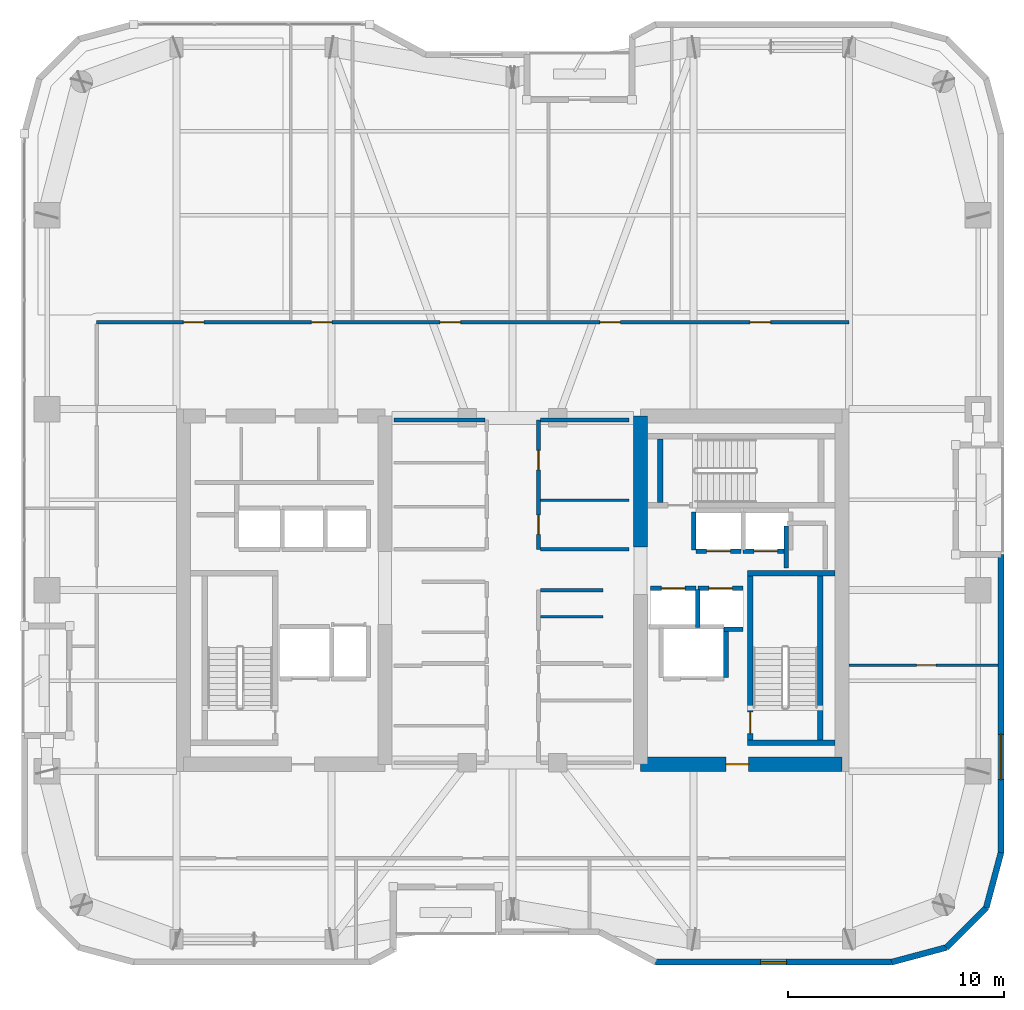
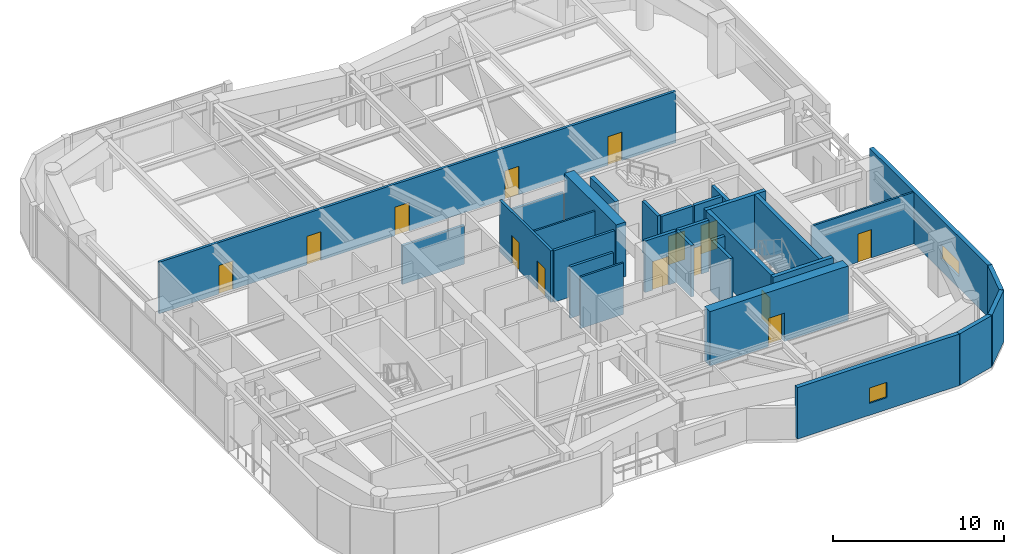
# One storey, part 17 of 21: 30 walls, 14 doors, 2 windows, 16 openings.
"""IFC4 building model written with IfcOpenShell, lengths in metres."""

from ifc_helpers import new_model, si_unit, direction, frame, frame_2d, origin, place, context, subcontext, project, spatial, rectangle, extrude, material, layer, layer_set, type_object, element, fill, save


model = new_model("IFC4")

# Units and contexts
model_context = context("Model", 3, precision=1e-05, world=origin(), true_north=direction((0.0, 1.0)))
body_context = subcontext(model_context, "Body", "Model", "MODEL_VIEW")
ifc_project = project(units=[si_unit("LENGTHUNIT", "METRE"), si_unit("AREAUNIT", "SQUARE_METRE"), si_unit("VOLUMEUNIT", "CUBIC_METRE"), si_unit("PLANEANGLEUNIT", "RADIAN"), si_unit("MASSUNIT", "GRAM", prefix="KILO")], contexts=[model_context])

# Site, building, storey
site_placement = place(None, origin())
site = spatial("IfcSite", under=ifc_project, at=site_placement, CompositionType="ELEMENT")
building_placement = place(site_placement, origin())
building = spatial("IfcBuilding", under=site, at=building_placement, Name="Kiyonajd Concourse Tower", CompositionType="ELEMENT")
storey_placement = place(building_placement, frame((0.0, 0.0, 219.300048828125)))
storey = spatial("IfcBuildingStorey", under=building, at=storey_placement, Name="L55", CompositionType="ELEMENT", Elevation=219.300048828125)

# Wall
ifc_material_1 = material(Name="Concrete C60/75", Category="concrete")
ifc_layer_1 = layer(ifc_material_1, 0.64990234375)
ifc_layer_set_1 = layer_set([ifc_layer_1], Name="Concrete C60/75")
wall_type_1 = type_object("IfcWallType", Name="WL-CORE-650", PredefinedType="SHEAR", material=ifc_layer_set_1)
wall_1_placement = place(storey_placement, frame((53.925048828125, 38.0, 0.0), z_axis=(0.0, 0.0, 1.0), x_axis=(0.0, 1.0, 0.0)))
element("IfcWall", 1, at=wall_1_placement, inside=storey, type_object=wall_type_1, Name="L55 East Core Inner North Shear Wall", PredefinedType="SHEAR", context=body_context, shape_type="SweptSolid", body=[
    extrude(rectangle(XDim=6.074951171875, YDim=0.64990234375, at=frame_2d((3.03759765625, 0.0))), origin(), (0.0, 0.0, 1.0), 3.89990234375),
])

# Wall, opening, door
wall_2_placement = place(storey_placement, frame((53.925048828125, 27.925048828125, 0.0), z_axis=(0.0, 0.0, 1.0), x_axis=(1.0, 0.0, 0.0)))
wall_2 = element("IfcWall", 2, at=wall_2_placement, inside=storey, type_object=wall_type_1, Name="L55 East Core South Shear Wall", PredefinedType="SHEAR", context=body_context, shape_type="SweptSolid", body=[
    extrude(rectangle(XDim=9.349853515625, YDim=0.64990234375, at=frame_2d((4.6748046875, 0.0))), origin(), (0.0, 0.0, 1.0), 3.89990234375),
])
opening_1_placement = place(wall_2_placement, frame((3.97509765625, 0.0, 0.0)))
opening_1 = element("IfcOpeningElement", 3, at=opening_1_placement, cuts=wall_2, Name="Opening DF5", PredefinedType="OPENING", context=body_context, shape_type="SweptSolid", body=[
    extrude(rectangle(XDim=1.050048828125, YDim=2.0400390625, at=frame_2d((0.52490234375, 1.02001953125))), frame((0.0, 0.3349609375, 0.0), z_axis=(0.0, -1.0, 0.0), x_axis=(1.0, 0.0, 0.0)), (0.0, 0.0, 1.0), 0.669921875),
])
ifc_material_2 = material(Name="Brushed Stainless Steel Cab Assembly", Category="steel")
door_type_1 = type_object("IfcDoorType", Name="DR-FD45-1050", OperationType="NOTDEFINED", PredefinedType="DOOR", material=ifc_material_2)
door_1_placement = place(opening_1_placement, origin())
door_1 = element("IfcDoor", 4, at=door_1_placement, inside=storey, type_object=door_type_1, Name="L55 Firefighting Lift Lobby E Smoke Door", OperationType="SINGLE_SWING_RIGHT", OverallHeight=2.0400390625, OverallWidth=1.050048828125, PredefinedType="DOOR", context=body_context, shape_type="SweptSolid", body=[
    extrude(rectangle(XDim=1.050048828125, YDim=2.0400390625, at=frame_2d((0.52490234375, 1.02001953125))), frame((0.0, 0.02490234375, 0.0), z_axis=(0.0, -1.0, 0.0), x_axis=(1.0, 0.0, 0.0)), (0.0, 0.0, 1.0), 0.050048828125),
])
fill(opening_1, door_1)

# Wall, opening, window
ifc_material_3 = material(Name="Precast concrete C50/60", Category="concrete")
ifc_layer_2 = layer(ifc_material_3, 0.280029296875)
ifc_layer_set_2 = layer_set([ifc_layer_2], Name="Precast concrete C50/60")
wall_type_2 = type_object("IfcWallType", Name="WL-EXT-280", PredefinedType="SOLIDWALL", material=ifc_layer_set_2)
wall_3_placement = place(storey_placement, frame((70.659912109375, 37.659912109375, 0.0), z_axis=(0.0, 0.0, 1.0), x_axis=(0.0, -1.0, 0.0)))
wall_3 = element("IfcWall", 5, at=wall_3_placement, inside=storey, type_object=wall_type_2, Name="L55 Exterior Concrete Frame Wall 24", PredefinedType="SOLIDWALL", context=body_context, shape_type="SweptSolid", body=[
    extrude(rectangle(XDim=13.841552734375, YDim=0.280029296875, at=frame_2d((6.9208984375, 0.0))), origin(), (0.0, 0.0, 1.0), 3.679931640625),
])
opening_2_placement = place(wall_3_placement, frame((8.345947265625, 0.0, 0.85009765625)))
opening_2 = element("IfcOpeningElement", 6, at=opening_2_placement, cuts=wall_3, Name="Opening WN5", PredefinedType="OPENING", context=body_context, shape_type="SweptSolid", body=[
    extrude(rectangle(XDim=2.10009765625, YDim=1.050048828125, at=frame_2d((1.050048828125, 0.52490234375))), frame((0.0, 0.14990234375, 0.0), z_axis=(0.0, -1.0, 0.0), x_axis=(1.0, 0.0, 0.0)), (0.0, 0.0, 1.0), 0.300048828125),
])
ifc_material_4 = material(Name="Double Low-E Insulated Glass", Category="glass")
window_type_1 = type_object("IfcWindowType", Name="WN-VIS-2100x1050", PartitioningType="SINGLE_PANEL", PredefinedType="WINDOW", material=ifc_material_4)
window_1_placement = place(opening_2_placement, origin())
window_1 = element("IfcWindow", 7, at=window_1_placement, inside=storey, type_object=window_type_1, Name="L55 Modular Facade Vision Window 24", OverallHeight=1.050048828125, OverallWidth=2.10009765625, PartitioningType="SINGLE_PANEL", PredefinedType="WINDOW", context=body_context, shape_type="SweptSolid", body=[
    extrude(rectangle(XDim=2.10009765625, YDim=1.050048828125, at=frame_2d((1.050048828125, 0.52490234375))), frame((0.0, 0.030029296875, 0.0), z_axis=(0.0, -1.0, 0.0), x_axis=(1.0, 0.0, 0.0)), (0.0, 0.0, 1.0), 0.06005859375),
])
fill(opening_2, window_1)

# Walls
wall_4_placement = place(storey_placement, frame((70.659912109375, 23.818359375, 0.0), z_axis=(0.0, 0.0, 1.0), x_axis=(-0.2588904131, -0.965906700466, 0.0)))
element("IfcWall", 8, at=wall_4_placement, inside=storey, type_object=wall_type_2, Name="L55 Exterior Concrete Frame Wall 25", PredefinedType="SOLIDWALL", context=body_context, shape_type="SweptSolid", body=[
    extrude(rectangle(XDim=2.6357421875, YDim=0.280029296875, at=frame_2d((1.31787109375, 0.0))), origin(), (0.0, 0.0, 1.0), 3.679931640625),
])
wall_5_placement = place(storey_placement, frame((69.9775390625, 21.2724609375, 0.0), z_axis=(0.0, 0.0, 1.0), x_axis=(-0.707153437963, -0.707060121331, 0.0)))
element("IfcWall", 9, at=wall_5_placement, inside=storey, type_object=wall_type_2, Name="L55 Exterior Concrete Frame Wall 26", PredefinedType="SOLIDWALL", context=body_context, shape_type="SweptSolid", body=[
    extrude(rectangle(XDim=2.6162109375, YDim=0.280029296875, at=frame_2d((1.30810546875, 0.0))), origin(), (0.0, 0.0, 1.0), 3.679931640625),
])
wall_6_placement = place(storey_placement, frame((68.12744140625, 19.422607421875, 0.0), z_axis=(0.0, 0.0, 1.0), x_axis=(-0.965883534663, -0.258976828051, 0.0)))
element("IfcWall", 10, at=wall_6_placement, inside=storey, type_object=wall_type_2, Name="L55 Exterior Concrete Frame Wall 27", PredefinedType="SOLIDWALL", context=body_context, shape_type="SweptSolid", body=[
    extrude(rectangle(XDim=2.6357421875, YDim=0.280029296875, at=frame_2d((1.31787109375, 0.0))), origin(), (0.0, 0.0, 1.0), 3.679931640625),
])

# Wall, opening, window
wall_7_placement = place(storey_placement, frame((65.58154296875, 18.739990234375, 0.0), z_axis=(0.0, 0.0, 1.0), x_axis=(-1.0, 0.0, 0.0)))
wall_7 = element("IfcWall", 11, at=wall_7_placement, inside=storey, type_object=wall_type_2, Name="L55 Exterior Concrete Frame Wall 28", PredefinedType="SOLIDWALL", context=body_context, shape_type="SweptSolid", body=[
    extrude(rectangle(XDim=10.9462890625, YDim=0.280029296875, at=frame_2d((5.47314453125, 0.0))), origin(), (0.0, 0.0, 1.0), 3.679931640625),
])
opening_3_placement = place(wall_7_placement, frame((4.873046875, 0.0, 0.85009765625)))
opening_3 = element("IfcOpeningElement", 12, at=opening_3_placement, cuts=wall_7, Name="Opening WN3", PredefinedType="OPENING", context=body_context, shape_type="SweptSolid", body=[
    extrude(rectangle(XDim=1.199951171875, YDim=1.10009765625, at=frame_2d((0.60009765625, 0.550048828125))), frame((0.0, 0.14990234375, 0.0), z_axis=(0.0, -1.0, 0.0), x_axis=(1.0, 0.0, 0.0)), (0.0, 0.0, 1.0), 0.300048828125),
])
window_type_2 = type_object("IfcWindowType", Name="WN-VIS-1200x1100", PartitioningType="SINGLE_PANEL", PredefinedType="WINDOW", material=ifc_material_4)
window_2_placement = place(opening_3_placement, origin())
window_2 = element("IfcWindow", 13, at=window_2_placement, inside=storey, type_object=window_type_2, Name="L55 Modular Facade Vision Window 28", OverallHeight=1.10009765625, OverallWidth=1.199951171875, PartitioningType="SINGLE_PANEL", PredefinedType="WINDOW", context=body_context, shape_type="SweptSolid", body=[
    extrude(rectangle(XDim=1.199951171875, YDim=1.10009765625, at=frame_2d((0.60009765625, 0.550048828125))), frame((0.0, 0.030029296875, 0.0), z_axis=(0.0, -1.0, 0.0), x_axis=(1.0, 0.0, 0.0)), (0.0, 0.0, 1.0), 0.06005859375),
])
fill(opening_3, window_2)

# Walls
ifc_material_5 = material(Name="Gypsum Board on Cold-Formed Steel Stud", Category="steel")
ifc_layer_3 = layer(ifc_material_5, 0.125)
ifc_layer_set_3 = layer_set([ifc_layer_3], Name="Gypsum Board on Cold-Formed Steel Stud")
wall_type_3 = type_object("IfcWallType", Name="WL-PART-125", PredefinedType="PARTITIONING", material=ifc_layer_set_3)
wall_8_placement = place(storey_placement, frame((49.287109375, 34.77587890625, 0.0), z_axis=(0.0, 0.0, 1.0), x_axis=(1.0, 0.0, 0.0)))
element("IfcWall", 14, at=wall_8_placement, inside=storey, type_object=wall_type_3, Name="L55 Interior Partition Wall", PredefinedType="PARTITIONING", context=body_context, shape_type="SweptSolid", body=[
    extrude(rectangle(XDim=2.912841796875, YDim=0.125, at=frame_2d((1.45654296875, 0.0))), origin(), (0.0, 0.0, 1.0), 3.679931640625),
])
wall_9_placement = place(storey_placement, frame((49.287109375, 40.179931640625, 0.0), z_axis=(0.0, 0.0, 1.0), x_axis=(1.0, 0.0, 0.0)))
element("IfcWall", 15, at=wall_9_placement, inside=storey, type_object=wall_type_3, Name="L55 Interior Partition Wall", PredefinedType="PARTITIONING", context=body_context, shape_type="SweptSolid", body=[
    extrude(rectangle(XDim=4.11279296875, YDim=0.125, at=frame_2d((2.056396484375, 0.0))), origin(), (0.0, 0.0, 1.0), 3.679931640625),
])

# Wall, opening, door
wall_10_placement = place(storey_placement, frame((63.60009765625, 32.52001953125, 0.0), z_axis=(0.0, 0.0, 1.0), x_axis=(1.0, 0.0, 0.0)))
wall_10 = element("IfcWall", 16, at=wall_10_placement, inside=storey, type_object=wall_type_3, Name="L55 Interior Partition Wall", PredefinedType="PARTITIONING", context=body_context, shape_type="SweptSolid", body=[
    extrude(rectangle(XDim=6.9248046875, YDim=0.125, at=frame_2d((3.46240234375, 0.0))), origin(), (0.0, 0.0, 1.0), 3.679931640625),
])
opening_4_placement = place(wall_10_placement, frame((3.14990234375, 0.0, 0.0)))
opening_4 = element("IfcOpeningElement", 17, at=opening_4_placement, cuts=wall_10, Name="Opening DI2", PredefinedType="OPENING", context=body_context, shape_type="SweptSolid", body=[
    extrude(rectangle(XDim=0.89990234375, YDim=2.02001953125, at=frame_2d((0.449951171875, 1.010009765625))), frame((0.0, 0.072509765625, 0.0), z_axis=(0.0, -1.0, 0.0), x_axis=(1.0, 0.0, 0.0)), (0.0, 0.0, 1.0), 0.14501953125),
])
ifc_material_6 = material(Name="Natural Oak Acoustic Timber Veneer", Category="wood")
door_type_2 = type_object("IfcDoorType", Name="DR-INT-900", OperationType="NOTDEFINED", PredefinedType="DOOR", material=ifc_material_6)
door_2_placement = place(opening_4_placement, origin())
door_2 = element("IfcDoor", 18, at=door_2_placement, inside=storey, type_object=door_type_2, Name="L55 Interior Door", OperationType="SINGLE_SWING_LEFT", OverallHeight=2.02001953125, OverallWidth=0.89990234375, PredefinedType="DOOR", context=body_context, shape_type="SweptSolid", body=[
    extrude(rectangle(XDim=0.89990234375, YDim=2.02001953125, at=frame_2d((0.449951171875, 1.010009765625))), frame((0.0, 0.02490234375, 0.0), z_axis=(0.0, -1.0, 0.0), x_axis=(1.0, 0.0, 0.0)), (0.0, 0.0, 1.0), 0.050048828125),
])
fill(opening_4, door_2)

# Walls
ifc_layer_4 = layer(ifc_material_5, 0.2099609375)
ifc_layer_set_4 = layer_set([ifc_layer_4], Name="Gypsum Board on Cold-Formed Steel Stud")
wall_type_4 = type_object("IfcWallType", Name="WL-SHAFT-210", PredefinedType="PARTITIONING", material=ifc_layer_set_4)
wall_11_placement = place(storey_placement, frame((60.699951171875, 37.02001953125, 0.0), z_axis=(0.0, 0.0, 1.0), x_axis=(0.0, 1.0, 0.0)))
element("IfcWall", 19, at=wall_11_placement, inside=storey, type_object=wall_type_4, Name="L55 Shaft Enclosure Wall", PredefinedType="PARTITIONING", context=body_context, shape_type="SweptSolid", body=[
    extrude(rectangle(XDim=1.9599609375, YDim=0.2099609375, at=frame_2d((0.97998046875, 0.0))), origin(), (0.0, 0.0, 1.0), 3.679931640625),
])
wall_12_placement = place(storey_placement, frame((57.89990234375, 31.9599609375, 0.0), z_axis=(0.0, 0.0, 1.0), x_axis=(0.0, 1.0, 0.0)))
element("IfcWall", 20, at=wall_12_placement, inside=storey, type_object=wall_type_4, Name="L55 Shaft Enclosure Wall", PredefinedType="PARTITIONING", context=body_context, shape_type="SweptSolid", body=[
    extrude(rectangle(XDim=2.280029296875, YDim=0.2099609375, at=frame_2d((1.14013671875, 0.0))), origin(), (0.0, 0.0, 1.0), 3.679931640625),
])

# Wall, opening, door
wall_13_placement = place(storey_placement, frame((54.39990234375, 36.10009765625, 0.0), z_axis=(0.0, 0.0, 1.0), x_axis=(1.0, 0.0, 0.0)))
wall_13 = element("IfcWall", 21, at=wall_13_placement, inside=storey, type_object=wall_type_4, Name="L55 Shaft Enclosure Wall", PredefinedType="PARTITIONING", context=body_context, shape_type="SweptSolid", body=[
    extrude(rectangle(XDim=2.10009765625, YDim=0.2099609375, at=frame_2d((1.050048828125, 0.0))), origin(), (0.0, 0.0, 1.0), 3.679931640625),
])
opening_5_placement = place(wall_13_placement, frame((0.5, 0.0, 0.0)))
opening_5 = element("IfcOpeningElement", 22, at=opening_5_placement, cuts=wall_13, Name="Opening LD1", PredefinedType="OPENING", context=body_context, shape_type="SweptSolid", body=[
    extrude(rectangle(XDim=1.10009765625, YDim=2.0400390625, at=frame_2d((0.550048828125, 1.02001953125))), frame((0.0, 0.114990234375, 0.0), z_axis=(0.0, -1.0, 0.0), x_axis=(1.0, 0.0, 0.0)), (0.0, 0.0, 1.0), 0.22998046875),
])
door_type_3 = type_object("IfcDoorType", Name="DR-LD-1100", OperationType="DOUBLE_DOOR_SLIDING", PredefinedType="DOOR", material=ifc_material_2)
door_3_placement = place(opening_5_placement, origin())
door_3 = element("IfcDoor", 23, at=door_3_placement, inside=storey, type_object=door_type_3, Name="L55 Lift PL-H1 Sliding Landing Door", OperationType="DOUBLE_DOOR_SLIDING", OverallHeight=2.0400390625, OverallWidth=1.10009765625, PredefinedType="DOOR", context=body_context, shape_type="SweptSolid", body=[
    extrude(rectangle(XDim=1.10009765625, YDim=2.0400390625, at=frame_2d((0.550048828125, 1.02001953125))), frame((0.0, 0.02490234375, 0.0), z_axis=(0.0, -1.0, 0.0), x_axis=(1.0, 0.0, 0.0)), (0.0, 0.0, 1.0), 0.050048828125),
])
fill(opening_5, door_3)

# Wall
wall_14_placement = place(storey_placement, frame((56.60009765625, 34.260009765625, 0.0), z_axis=(0.0, 0.0, 1.0), x_axis=(0.0, 1.0, 0.0)))
element("IfcWall", 24, at=wall_14_placement, inside=storey, type_object=wall_type_4, Name="L55 Shaft Enclosure Wall", PredefinedType="PARTITIONING", context=body_context, shape_type="SweptSolid", body=[
    extrude(rectangle(XDim=1.780029296875, YDim=0.2099609375, at=frame_2d((0.89013671875, 0.0))), origin(), (0.0, 0.0, 1.0), 3.679931640625),
])

# Wall, opening, door
wall_15_placement = place(storey_placement, frame((56.60009765625, 36.10009765625, 0.0), z_axis=(0.0, 0.0, 1.0), x_axis=(1.0, 0.0, 0.0)))
wall_15 = element("IfcWall", 25, at=wall_15_placement, inside=storey, type_object=wall_type_4, Name="L55 Shaft Enclosure Wall", PredefinedType="PARTITIONING", context=body_context, shape_type="SweptSolid", body=[
    extrude(rectangle(XDim=2.099853515625, YDim=0.2099609375, at=frame_2d((1.0498046875, 0.0))), origin(), (0.0, 0.0, 1.0), 3.679931640625),
])
opening_6_placement = place(wall_15_placement, frame((0.5, 0.0, 0.0)))
opening_6 = element("IfcOpeningElement", 26, at=opening_6_placement, cuts=wall_15, Name="Opening LD1", PredefinedType="OPENING", context=body_context, shape_type="SweptSolid", body=[
    extrude(rectangle(XDim=1.10009765625, YDim=2.0400390625, at=frame_2d((0.550048828125, 1.02001953125))), frame((0.0, 0.114990234375, 0.0), z_axis=(0.0, -1.0, 0.0), x_axis=(1.0, 0.0, 0.0)), (0.0, 0.0, 1.0), 0.22998046875),
])
door_4_placement = place(opening_6_placement, origin())
door_4 = element("IfcDoor", 27, at=door_4_placement, inside=storey, type_object=door_type_3, Name="L55 Lift PL-H2 Sliding Landing Door", OperationType="DOUBLE_DOOR_SLIDING", OverallHeight=2.0400390625, OverallWidth=1.10009765625, PredefinedType="DOOR", context=body_context, shape_type="SweptSolid", body=[
    extrude(rectangle(XDim=1.10009765625, YDim=2.0400390625, at=frame_2d((0.550048828125, 1.02001953125))), frame((0.0, 0.02490234375, 0.0), z_axis=(0.0, -1.0, 0.0), x_axis=(1.0, 0.0, 0.0)), (0.0, 0.0, 1.0), 0.050048828125),
])
fill(opening_6, door_4)

# Wall
wall_16_placement = place(storey_placement, frame((57.800048828125, 34.199951171875, 0.0), z_axis=(0.0, 0.0, 1.0), x_axis=(1.0, 0.0, 0.0)))
element("IfcWall", 28, at=wall_16_placement, inside=storey, type_object=wall_type_4, Name="L55 Shaft Enclosure Wall", PredefinedType="PARTITIONING", context=body_context, shape_type="SweptSolid", body=[
    extrude(rectangle(XDim=0.89990234375, YDim=0.2099609375, at=frame_2d((0.449951171875, 0.0))), origin(), (0.0, 0.0, 1.0), 3.679931640625),
])

# Wall, opening, door
wall_17_placement = place(storey_placement, frame((56.5, 37.800048828125, 0.0), z_axis=(0.0, 0.0, 1.0), x_axis=(1.0, 0.0, 0.0)))
wall_17 = element("IfcWall", 29, at=wall_17_placement, inside=storey, type_object=wall_type_4, Name="L55 Shaft Enclosure Wall", PredefinedType="PARTITIONING", context=body_context, shape_type="SweptSolid", body=[
    extrude(rectangle(XDim=2.10009765625, YDim=0.2099609375, at=frame_2d((1.050048828125, 0.0))), origin(), (0.0, 0.0, 1.0), 3.679931640625),
])
opening_7_placement = place(wall_17_placement, frame((0.5, 0.0, 0.0)))
opening_7 = element("IfcOpeningElement", 30, at=opening_7_placement, cuts=wall_17, Name="Opening LD1", PredefinedType="OPENING", context=body_context, shape_type="SweptSolid", body=[
    extrude(rectangle(XDim=1.10009765625, YDim=2.0400390625, at=frame_2d((0.550048828125, 1.02001953125))), frame((0.0, 0.114990234375, 0.0), z_axis=(0.0, -1.0, 0.0), x_axis=(1.0, 0.0, 0.0)), (0.0, 0.0, 1.0), 0.22998046875),
])
door_5_placement = place(opening_7_placement, origin())
door_5 = element("IfcDoor", 31, at=door_5_placement, inside=storey, type_object=door_type_3, Name="L55 Lift PL-H3 Sliding Landing Door", OperationType="DOUBLE_DOOR_SLIDING", OverallHeight=2.0400390625, OverallWidth=1.10009765625, PredefinedType="DOOR", context=body_context, shape_type="SweptSolid", body=[
    extrude(rectangle(XDim=1.10009765625, YDim=2.0400390625, at=frame_2d((0.550048828125, 1.02001953125))), frame((0.0, 0.02490234375, 0.0), z_axis=(0.0, -1.0, 0.0), x_axis=(1.0, 0.0, 0.0)), (0.0, 0.0, 1.0), 0.050048828125),
])
fill(opening_7, door_5)

# Wall
wall_18_placement = place(storey_placement, frame((56.39990234375, 37.860107421875, 0.0), z_axis=(0.0, 0.0, 1.0), x_axis=(0.0, 1.0, 0.0)))
element("IfcWall", 32, at=wall_18_placement, inside=storey, type_object=wall_type_4, Name="L55 Shaft Enclosure Wall", PredefinedType="PARTITIONING", context=body_context, shape_type="SweptSolid", body=[
    extrude(rectangle(XDim=1.77978515625, YDim=0.2099609375, at=frame_2d((0.889892578125, 0.0))), origin(), (0.0, 0.0, 1.0), 3.679931640625),
])

# Wall, opening, door
wall_19_placement = place(storey_placement, frame((58.699951171875, 37.800048828125, 0.0), z_axis=(0.0, 0.0, 1.0), x_axis=(1.0, 0.0, 0.0)))
wall_19 = element("IfcWall", 33, at=wall_19_placement, inside=storey, type_object=wall_type_4, Name="L55 Shaft Enclosure Wall", PredefinedType="PARTITIONING", context=body_context, shape_type="SweptSolid", body=[
    extrude(rectangle(XDim=2.10009765625, YDim=0.2099609375, at=frame_2d((1.050048828125, 0.0))), origin(), (0.0, 0.0, 1.0), 3.679931640625),
])
opening_8_placement = place(wall_19_placement, frame((0.5, 0.0, 0.0)))
opening_8 = element("IfcOpeningElement", 34, at=opening_8_placement, cuts=wall_19, Name="Opening LD1", PredefinedType="OPENING", context=body_context, shape_type="SweptSolid", body=[
    extrude(rectangle(XDim=1.10009765625, YDim=2.0400390625, at=frame_2d((0.550048828125, 1.02001953125))), frame((0.0, 0.114990234375, 0.0), z_axis=(0.0, -1.0, 0.0), x_axis=(1.0, 0.0, 0.0)), (0.0, 0.0, 1.0), 0.22998046875),
])
door_6_placement = place(opening_8_placement, origin())
door_6 = element("IfcDoor", 35, at=door_6_placement, inside=storey, type_object=door_type_3, Name="L55 Lift PL-H4 Sliding Landing Door", OperationType="DOUBLE_DOOR_SLIDING", OverallHeight=2.0400390625, OverallWidth=1.10009765625, PredefinedType="DOOR", context=body_context, shape_type="SweptSolid", body=[
    extrude(rectangle(XDim=1.10009765625, YDim=2.0400390625, at=frame_2d((0.550048828125, 1.02001953125))), frame((0.0, 0.02490234375, 0.0), z_axis=(0.0, -1.0, 0.0), x_axis=(1.0, 0.0, 0.0)), (0.0, 0.0, 1.0), 0.050048828125),
])
fill(opening_8, door_6)

# Walls
ifc_layer_5 = layer(ifc_material_5, 0.169921875)
ifc_layer_set_5 = layer_set([ifc_layer_5], Name="Gypsum Board on Cold-Formed Steel Stud")
wall_type_5 = type_object("IfcWallType", Name="WL-SMK-170", PredefinedType="PARTITIONING", material=ifc_layer_set_5)
wall_20_placement = place(storey_placement, frame((49.287109375, 36.0, 0.0), z_axis=(0.0, 0.0, 1.0), x_axis=(1.0, 0.0, 0.0)))
element("IfcWall", 36, at=wall_20_placement, inside=storey, type_object=wall_type_5, Name="L55 Interior Partition Wall", PredefinedType="PARTITIONING", context=body_context, shape_type="SweptSolid", body=[
    extrude(rectangle(XDim=2.912841796875, YDim=0.169921875, at=frame_2d((1.45654296875, 0.0))), origin(), (0.0, 0.0, 1.0), 3.679931640625),
])
wall_21_placement = place(storey_placement, frame((42.5, 43.89990234375, 0.0), z_axis=(0.0, 0.0, 1.0), x_axis=(1.0, 0.0, 0.0)))
element("IfcWall", 37, at=wall_21_placement, inside=storey, type_object=wall_type_5, Name="L55 Interior Partition Wall", PredefinedType="PARTITIONING", context=body_context, shape_type="SweptSolid", body=[
    extrude(rectangle(XDim=4.212890625, YDim=0.169921875, at=frame_2d((2.1064453125, 0.0))), origin(), (0.0, 0.0, 1.0), 2.764892578125),
])

# Wall, openings, doors
wall_22_placement = place(storey_placement, frame((49.199951171875, 37.89990234375, 0.0), z_axis=(0.0, 0.0, 1.0), x_axis=(0.0, 1.0, 0.0)))
wall_22 = element("IfcWall", 38, at=wall_22_placement, inside=storey, type_object=wall_type_5, Name="L55 Interior Partition Wall", PredefinedType="PARTITIONING", context=body_context, shape_type="SweptSolid", body=[
    extrude(rectangle(XDim=6.0, YDim=0.169921875, at=frame_2d((3.0, 0.0))), origin(), (0.0, 0.0, 1.0), 3.679931640625),
])
opening_9_placement = place(wall_22_placement, frame((0.68994140625, 0.0, 0.0)))
opening_9 = element("IfcOpeningElement", 39, at=opening_9_placement, cuts=wall_22, Name="Opening DI2", PredefinedType="OPENING", context=body_context, shape_type="SweptSolid", body=[
    extrude(rectangle(XDim=0.89990234375, YDim=2.02001953125, at=frame_2d((0.449951171875, 1.010009765625))), frame((0.0, 0.094970703125, 0.0), z_axis=(0.0, -1.0, 0.0), x_axis=(1.0, 0.0, 0.0)), (0.0, 0.0, 1.0), 0.18994140625),
])
opening_10_placement = place(wall_22_placement, frame((3.68994140625, 0.0, 0.0)))
opening_10 = element("IfcOpeningElement", 40, at=opening_10_placement, cuts=wall_22, Name="Opening DI2", PredefinedType="OPENING", context=body_context, shape_type="SweptSolid", body=[
    extrude(rectangle(XDim=0.89990234375, YDim=2.02001953125, at=frame_2d((0.449951171875, 1.010009765625))), frame((0.0, 0.094970703125, 0.0), z_axis=(0.0, -1.0, 0.0), x_axis=(1.0, 0.0, 0.0)), (0.0, 0.0, 1.0), 0.18994140625),
])
door_7_placement = place(opening_9_placement, origin())
door_7 = element("IfcDoor", 41, at=door_7_placement, inside=storey, type_object=door_type_2, Name="L55 Interior Door", OperationType="SINGLE_SWING_RIGHT", OverallHeight=2.02001953125, OverallWidth=0.89990234375, PredefinedType="DOOR", context=body_context, shape_type="SweptSolid", body=[
    extrude(rectangle(XDim=0.89990234375, YDim=2.02001953125, at=frame_2d((0.449951171875, 1.010009765625))), frame((0.0, 0.02490234375, 0.0), z_axis=(0.0, -1.0, 0.0), x_axis=(1.0, 0.0, 0.0)), (0.0, 0.0, 1.0), 0.050048828125),
])
fill(opening_9, door_7)
door_8_placement = place(opening_10_placement, origin())
door_8 = element("IfcDoor", 42, at=door_8_placement, inside=storey, type_object=door_type_2, Name="L55 Interior Door", OperationType="SINGLE_SWING_LEFT", OverallHeight=2.02001953125, OverallWidth=0.89990234375, PredefinedType="DOOR", context=body_context, shape_type="SweptSolid", body=[
    extrude(rectangle(XDim=0.89990234375, YDim=2.02001953125, at=frame_2d((0.449951171875, 1.010009765625))), frame((0.0, 0.02490234375, 0.0), z_axis=(0.0, -1.0, 0.0), x_axis=(1.0, 0.0, 0.0)), (0.0, 0.0, 1.0), 0.050048828125),
])
fill(opening_10, door_8)

# Walls
wall_23_placement = place(storey_placement, frame((49.287109375, 37.89990234375, 0.0), z_axis=(0.0, 0.0, 1.0), x_axis=(1.0, 0.0, 0.0)))
element("IfcWall", 43, at=wall_23_placement, inside=storey, type_object=wall_type_5, Name="L55 Interior Partition Wall", PredefinedType="PARTITIONING", context=body_context, shape_type="SweptSolid", body=[
    extrude(rectangle(XDim=4.11279296875, YDim=0.169921875, at=frame_2d((2.056396484375, 0.0))), origin(), (0.0, 0.0, 1.0), 3.679931640625),
])
wall_24_placement = place(storey_placement, frame((49.287109375, 43.89990234375, 0.0), z_axis=(0.0, 0.0, 1.0), x_axis=(1.0, 0.0, 0.0)))
element("IfcWall", 44, at=wall_24_placement, inside=storey, type_object=wall_type_5, Name="L55 Interior Partition Wall", PredefinedType="PARTITIONING", context=body_context, shape_type="SweptSolid", body=[
    extrude(rectangle(XDim=4.11279296875, YDim=0.169921875, at=frame_2d((2.056396484375, 0.0))), origin(), (0.0, 0.0, 1.0), 2.764892578125),
])

# Wall, openings, doors
wall_25_placement = place(storey_placement, frame((28.699951171875, 48.429931640625, 0.0), z_axis=(0.0, 0.0, 1.0), x_axis=(1.0, 0.0, 0.0)))
wall_25 = element("IfcWall", 45, at=wall_25_placement, inside=storey, type_object=wall_type_5, Name="L55 Interior Partition Wall", PredefinedType="PARTITIONING", context=body_context, shape_type="SweptSolid", body=[
    extrude(rectangle(XDim=34.900146484375, YDim=0.169921875, at=frame_2d((17.4501953125, 0.0))), origin(), (0.0, 0.0, 1.0), 3.679931640625),
])
opening_11_placement = place(wall_25_placement, frame((4.02490234375, 0.0, 0.0)))
opening_11 = element("IfcOpeningElement", 46, at=opening_11_placement, cuts=wall_25, Name="Opening DI1", PredefinedType="OPENING", context=body_context, shape_type="SweptSolid", body=[
    extrude(rectangle(XDim=0.949951171875, YDim=2.0400390625, at=frame_2d((0.47509765625, 1.02001953125))), frame((0.0, 0.094970703125, 0.0), z_axis=(0.0, -1.0, 0.0), x_axis=(1.0, 0.0, 0.0)), (0.0, 0.0, 1.0), 0.18994140625),
])
opening_12_placement = place(wall_25_placement, frame((9.9599609375, 0.0, 0.0)))
opening_12 = element("IfcOpeningElement", 47, at=opening_12_placement, cuts=wall_25, Name="Opening DI1", PredefinedType="OPENING", context=body_context, shape_type="SweptSolid", body=[
    extrude(rectangle(XDim=0.949951171875, YDim=2.0400390625, at=frame_2d((0.47509765625, 1.02001953125))), frame((0.0, 0.094970703125, 0.0), z_axis=(0.0, -1.0, 0.0), x_axis=(1.0, 0.0, 0.0)), (0.0, 0.0, 1.0), 0.18994140625),
])
opening_13_placement = place(wall_25_placement, frame((15.93994140625, 0.0, 0.0)))
opening_13 = element("IfcOpeningElement", 48, at=opening_13_placement, cuts=wall_25, Name="Opening DI1", PredefinedType="OPENING", context=body_context, shape_type="SweptSolid", body=[
    extrude(rectangle(XDim=0.949951171875, YDim=2.0400390625, at=frame_2d((0.47509765625, 1.02001953125))), frame((0.0, 0.094970703125, 0.0), z_axis=(0.0, -1.0, 0.0), x_axis=(1.0, 0.0, 0.0)), (0.0, 0.0, 1.0), 0.18994140625),
])
opening_14_placement = place(wall_25_placement, frame((23.35009765625, 0.0, 0.0)))
opening_14 = element("IfcOpeningElement", 49, at=opening_14_placement, cuts=wall_25, Name="Opening DI1", PredefinedType="OPENING", context=body_context, shape_type="SweptSolid", body=[
    extrude(rectangle(XDim=0.949951171875, YDim=2.0400390625, at=frame_2d((0.47509765625, 1.02001953125))), frame((0.0, 0.094970703125, 0.0), z_axis=(0.0, -1.0, 0.0), x_axis=(1.0, 0.0, 0.0)), (0.0, 0.0, 1.0), 0.18994140625),
])
opening_15_placement = place(wall_25_placement, frame((30.320068359375, 0.0, 0.0)))
opening_15 = element("IfcOpeningElement", 50, at=opening_15_placement, cuts=wall_25, Name="Opening DI1", PredefinedType="OPENING", context=body_context, shape_type="SweptSolid", body=[
    extrude(rectangle(XDim=0.949951171875, YDim=2.0400390625, at=frame_2d((0.47509765625, 1.02001953125))), frame((0.0, 0.094970703125, 0.0), z_axis=(0.0, -1.0, 0.0), x_axis=(1.0, 0.0, 0.0)), (0.0, 0.0, 1.0), 0.18994140625),
])
door_type_4 = type_object("IfcDoorType", Name="DR-INT-950", OperationType="NOTDEFINED", PredefinedType="DOOR", material=ifc_material_6)
door_9_placement = place(opening_11_placement, origin())
door_9 = element("IfcDoor", 51, at=door_9_placement, inside=storey, type_object=door_type_4, Name="L55 Interior Door", OperationType="SINGLE_SWING_LEFT", OverallHeight=2.0400390625, OverallWidth=0.949951171875, PredefinedType="DOOR", context=body_context, shape_type="SweptSolid", body=[
    extrude(rectangle(XDim=0.949951171875, YDim=2.0400390625, at=frame_2d((0.47509765625, 1.02001953125))), frame((0.0, 0.02490234375, 0.0), z_axis=(0.0, -1.0, 0.0), x_axis=(1.0, 0.0, 0.0)), (0.0, 0.0, 1.0), 0.050048828125),
])
fill(opening_11, door_9)
door_10_placement = place(opening_12_placement, origin())
door_10 = element("IfcDoor", 52, at=door_10_placement, inside=storey, type_object=door_type_4, Name="L55 Interior Door", OperationType="SINGLE_SWING_RIGHT", OverallHeight=2.0400390625, OverallWidth=0.949951171875, PredefinedType="DOOR", context=body_context, shape_type="SweptSolid", body=[
    extrude(rectangle(XDim=0.949951171875, YDim=2.0400390625, at=frame_2d((0.47509765625, 1.02001953125))), frame((0.0, 0.02490234375, 0.0), z_axis=(0.0, -1.0, 0.0), x_axis=(1.0, 0.0, 0.0)), (0.0, 0.0, 1.0), 0.050048828125),
])
fill(opening_12, door_10)
door_11_placement = place(opening_13_placement, origin())
door_11 = element("IfcDoor", 53, at=door_11_placement, inside=storey, type_object=door_type_4, Name="L55 Interior Door", OperationType="SINGLE_SWING_LEFT", OverallHeight=2.0400390625, OverallWidth=0.949951171875, PredefinedType="DOOR", context=body_context, shape_type="SweptSolid", body=[
    extrude(rectangle(XDim=0.949951171875, YDim=2.0400390625, at=frame_2d((0.47509765625, 1.02001953125))), frame((0.0, 0.02490234375, 0.0), z_axis=(0.0, -1.0, 0.0), x_axis=(1.0, 0.0, 0.0)), (0.0, 0.0, 1.0), 0.050048828125),
])
fill(opening_13, door_11)
door_12_placement = place(opening_14_placement, origin())
door_12 = element("IfcDoor", 54, at=door_12_placement, inside=storey, type_object=door_type_4, Name="L55 Interior Door", OperationType="SINGLE_SWING_RIGHT", OverallHeight=2.0400390625, OverallWidth=0.949951171875, PredefinedType="DOOR", context=body_context, shape_type="SweptSolid", body=[
    extrude(rectangle(XDim=0.949951171875, YDim=2.0400390625, at=frame_2d((0.47509765625, 1.02001953125))), frame((0.0, 0.02490234375, 0.0), z_axis=(0.0, -1.0, 0.0), x_axis=(1.0, 0.0, 0.0)), (0.0, 0.0, 1.0), 0.050048828125),
])
fill(opening_14, door_12)
door_13_placement = place(opening_15_placement, origin())
door_13 = element("IfcDoor", 55, at=door_13_placement, inside=storey, type_object=door_type_4, Name="L55 Interior Door", OperationType="SINGLE_SWING_LEFT", OverallHeight=2.0400390625, OverallWidth=0.949951171875, PredefinedType="DOOR", context=body_context, shape_type="SweptSolid", body=[
    extrude(rectangle(XDim=0.949951171875, YDim=2.0400390625, at=frame_2d((0.47509765625, 1.02001953125))), frame((0.0, 0.02490234375, 0.0), z_axis=(0.0, -1.0, 0.0), x_axis=(1.0, 0.0, 0.0)), (0.0, 0.0, 1.0), 0.050048828125),
])
fill(opening_15, door_13)

# Walls
ifc_material_7 = material(Name="Concrete C50/60", Category="concrete")
ifc_layer_6 = layer(ifc_material_7, 0.260009765625)
ifc_layer_set_6 = layer_set([ifc_layer_6], Name="Concrete C50/60")
wall_type_6 = type_object("IfcWallType", Name="WL-STAIR-260", PredefinedType="SHEAR", material=ifc_layer_set_6)
for number, where, z_axis, x_axis, name in (
    (56, (58.889892578125, 28.919921875, 0.0), (0.0, 0.0, 1.0), (1.0, 0.0, 0.0), "L55 Stair ST2 Structural South Wall"),
    (57, (58.889892578125, 36.780029296875, 0.0), (0.0, 0.0, 1.0), (1.0, 0.0, 0.0), "L55 Stair ST2 Structural North Wall"),
):
    element("IfcWall", number, at=place(storey_placement, frame(where, z_axis=z_axis, x_axis=x_axis)), inside=storey, type_object=wall_type_6, Name=name, PredefinedType="SHEAR", context=body_context, shape_type="SweptSolid", body=[
        extrude(rectangle(XDim=4.06005859375, YDim=0.260009765625, at=frame_2d((2.030029296875, 0.0))), origin(), (0.0, 0.0, 1.0), 3.89990234375),
    ])

# Wall, opening, door
wall_26_placement = place(storey_placement, frame((59.02001953125, 29.050048828125, 0.0), z_axis=(0.0, 0.0, 1.0), x_axis=(0.0, 1.0, 0.0)))
wall_26 = element("IfcWall", 58, at=wall_26_placement, inside=storey, type_object=wall_type_6, Name="L55 Stair ST2 Structural West Wall", PredefinedType="SHEAR", context=body_context, shape_type="SweptSolid", body=[
    extrude(rectangle(XDim=7.599853515625, YDim=0.260009765625, at=frame_2d((3.7998046875, 0.0))), origin(), (0.0, 0.0, 1.0), 3.89990234375),
])
opening_16_placement = place(wall_26_placement, frame((0.300048828125, 0.0, 0.0)))
opening_16 = element("IfcOpeningElement", 59, at=opening_16_placement, cuts=wall_26, Name="Opening DF1", PredefinedType="OPENING", context=body_context, shape_type="SweptSolid", body=[
    extrude(rectangle(XDim=1.0, YDim=2.0400390625, at=frame_2d((0.5, 1.02001953125))), frame((0.0, 0.139892578125, 0.0), z_axis=(0.0, -1.0, 0.0), x_axis=(1.0, 0.0, 0.0)), (0.0, 0.0, 1.0), 0.280029296875),
])
door_type_5 = type_object("IfcDoorType", Name="DR-FD90-1000", OperationType="NOTDEFINED", PredefinedType="DOOR", material=ifc_material_2)
door_14_placement = place(opening_16_placement, origin())
door_14 = element("IfcDoor", 60, at=door_14_placement, inside=storey, type_object=door_type_5, Name="L55 Stair ST2 FSAE Door", OperationType="SINGLE_SWING_RIGHT", OverallHeight=2.0400390625, OverallWidth=1.0, PredefinedType="DOOR", context=body_context, shape_type="SweptSolid", body=[
    extrude(rectangle(XDim=1.0, YDim=2.0400390625, at=frame_2d((0.5, 1.02001953125))), frame((0.0, 0.02490234375, 0.0), z_axis=(0.0, -1.0, 0.0), x_axis=(1.0, 0.0, 0.0)), (0.0, 0.0, 1.0), 0.050048828125),
])
fill(opening_16, door_14)

# Walls
wall_27_placement = place(storey_placement, frame((62.280029296875, 29.050048828125, 0.0), z_axis=(0.0, 0.0, 1.0), x_axis=(0.0, 1.0, 0.0)))
element("IfcWall", 61, at=wall_27_placement, inside=storey, type_object=wall_type_6, Name="L55 Stair ST2 Structural East Wall", PredefinedType="SHEAR", context=body_context, shape_type="SweptSolid", body=[
    extrude(rectangle(XDim=7.599853515625, YDim=0.260009765625, at=frame_2d((3.7998046875, 0.0))), origin(), (0.0, 0.0, 1.0), 3.89990234375),
])
wall_28_placement = place(storey_placement, frame((54.85009765625, 40.080078125, 0.0), z_axis=(0.0, 0.0, 1.0), x_axis=(0.0, 1.0, 0.0)))
element("IfcWall", 62, at=wall_28_placement, inside=storey, type_object=wall_type_6, Name="L55 Stair ST3 Structural West Wall", PredefinedType="SHEAR", context=body_context, shape_type="SweptSolid", body=[
    extrude(rectangle(XDim=2.93994140625, YDim=0.260009765625, at=frame_2d((1.469970703125, 0.0))), origin(), (0.0, 0.0, 1.0), 3.89990234375),
])

save(model, "model.ifc")
